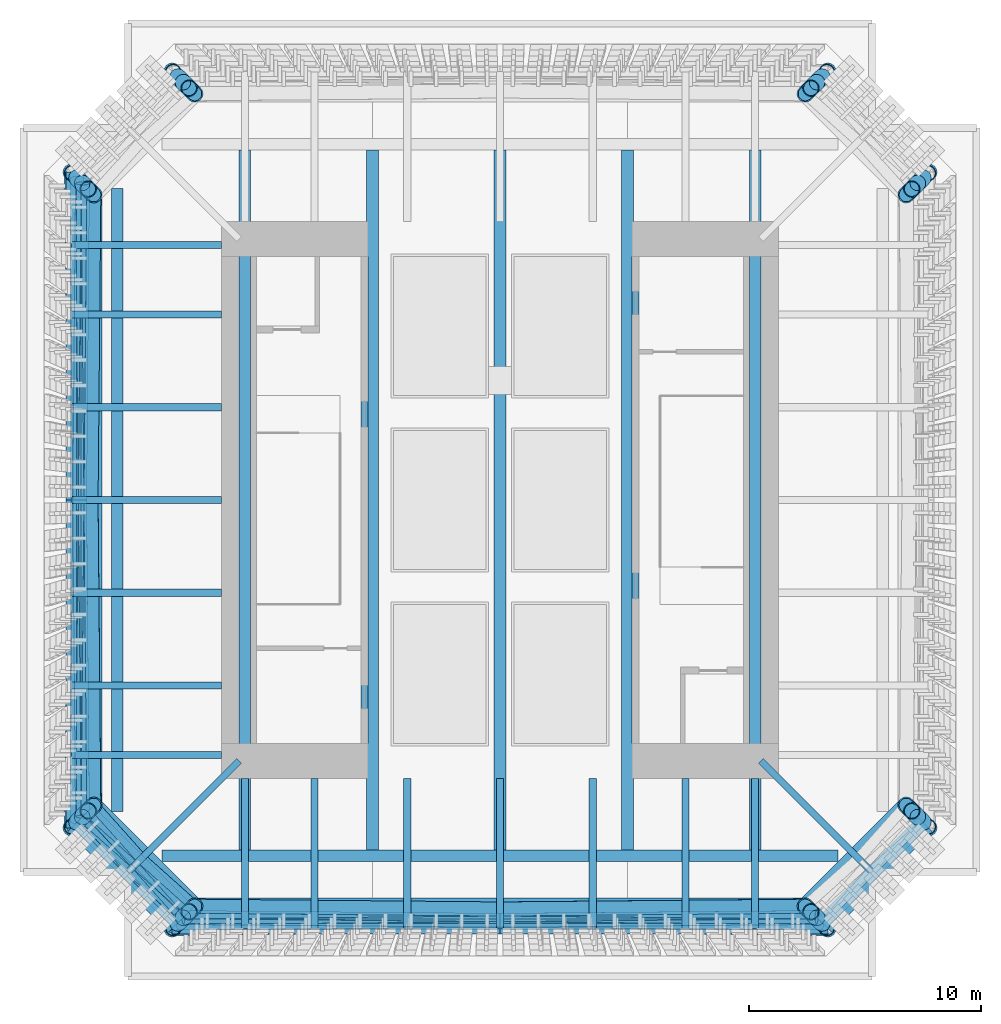
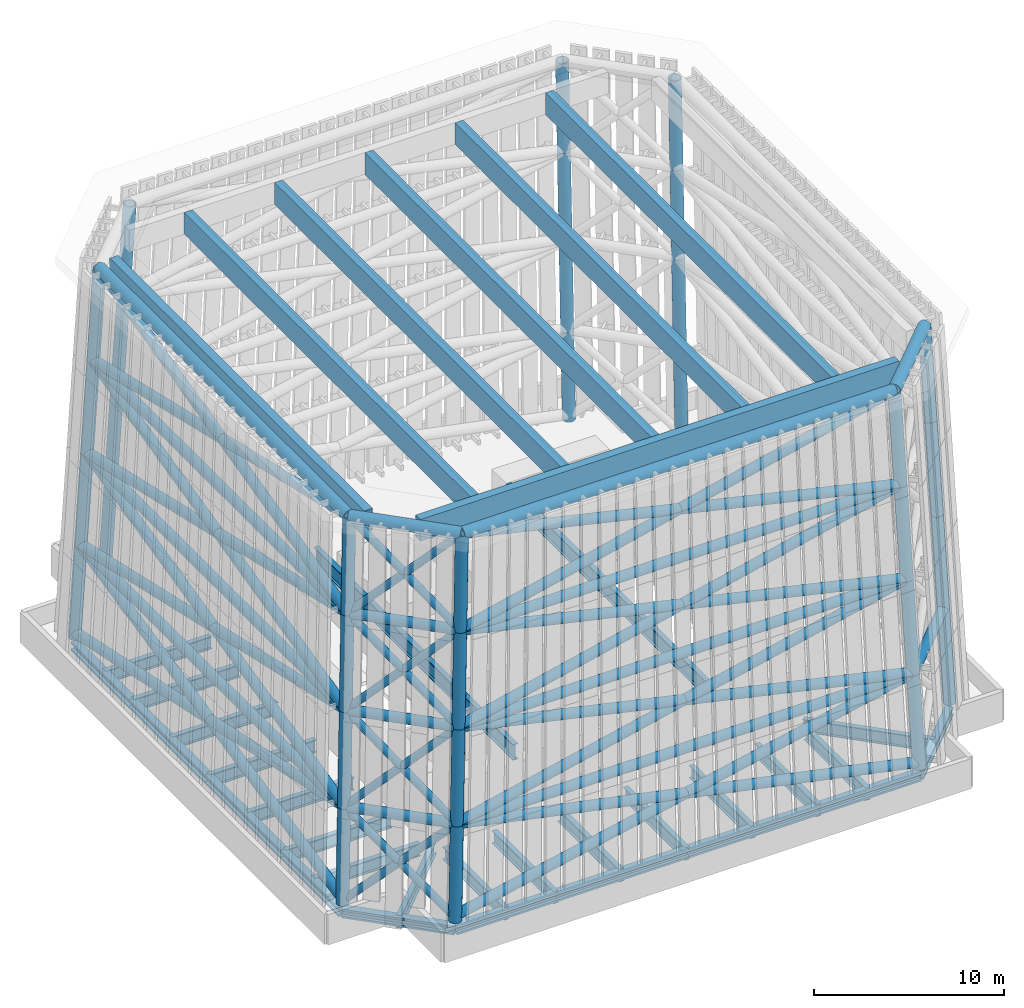
# One storey, part 1 of 13: 53 members, 32 columns, 20 beams.
"""IFC4 building model written with IfcOpenShell, lengths in metres."""

from ifc_helpers import new_model, si_unit, direction, frame, origin, origin_2d, place, context, subcontext, project, spatial, hollow_rectangle, hollow_circle, i_section, extrude, material, material_profile, profile_set, type_object, element, save


model = new_model("IFC4")

# Units and contexts
model_context = context("Model", 3, precision=1e-05, world=origin(), true_north=direction((0.0, 1.0)))
body_context = subcontext(model_context, "Body", "Model", "MODEL_VIEW")
ifc_project = project(units=[si_unit("LENGTHUNIT", "METRE"), si_unit("AREAUNIT", "SQUARE_METRE"), si_unit("VOLUMEUNIT", "CUBIC_METRE"), si_unit("PLANEANGLEUNIT", "RADIAN"), si_unit("MASSUNIT", "GRAM", prefix="KILO")], contexts=[model_context])

# Site, building, storey
site_placement = place(None, origin())
site = spatial("IfcSite", under=ifc_project, at=site_placement, CompositionType="ELEMENT")
building_placement = place(site_placement, origin())
building = spatial("IfcBuilding", under=site, at=building_placement, Name="Peilmerk Tower", CompositionType="ELEMENT")
storey_placement = place(building_placement, frame((0.0, 0.0, 307.800048828125)))
storey = spatial("IfcBuildingStorey", under=building, at=storey_placement, Name="RF", CompositionType="ELEMENT", Elevation=307.800048828125)

# Columns
ifc_material_1 = material(Name="Steel S355", Category="steel")
ifc_material_profile_1 = material_profile(ifc_material_1, hollow_circle(Radius=0.35546875, WallThickness=0.0400390625, at=origin_2d()), Name="CHS 711x40")
ifc_profile_set_1 = profile_set([ifc_material_profile_1], Name="Steel S355")
column_type_1 = type_object("IfcColumnType", Name="SC10 CHS 711x40 crown frame column", PredefinedType="COLUMN", material=ifc_profile_set_1)
for number, where, z_axis, x_axis, name in (
    (1, (14.135498046875, 18.485595703125, 0.0), (-0.040258485407, -0.040258485407, 0.998377938811), (0.707106781187, -0.707106781187, 0.0), "Crown frame column NE_N tier 1"),
    (2, (18.485595703125, 14.135498046875, 0.0), (-0.040258485407, -0.040258485407, 0.998377938811), (0.707106781187, -0.707106781187, 0.0), "Crown frame column NE_E tier 1"),
    (3, (18.485595703125, -14.135498046875, 0.0), (-0.040258485407, 0.040258485407, 0.998377938811), (-0.707106781187, -0.707106781187, 0.0), "Crown frame column SE_E tier 1"),
    (4, (14.135498046875, -18.485595703125, 0.0), (-0.040258485407, 0.040258485407, 0.998377938811), (-0.707106781187, -0.707106781187, 0.0), "Crown frame column SE_S tier 1"),
    (5, (-14.135498046875, -18.485595703125, 0.0), (0.040258485407, 0.040258485407, 0.998377938811), (-0.707106781187, 0.707106781187, 0.0), "Crown frame column SW_S tier 1"),
    (6, (-18.485595703125, -14.135498046875, 0.0), (0.040258485407, 0.040258485407, 0.998377938811), (-0.707106781187, 0.707106781187, 0.0), "Crown frame column SW_W tier 1"),
    (7, (-18.485595703125, 14.135498046875, 0.0), (0.040258485407, -0.040258485407, 0.998377938811), (0.707106781187, 0.707106781187, 0.0), "Crown frame column NW_W tier 1"),
    (8, (-14.135498046875, 18.485595703125, 0.0), (0.040258485407, -0.040258485407, 0.998377938811), (0.707106781187, 0.707106781187, 0.0), "Crown frame column NW_N tier 1"),
    (9, (13.8935546875, 18.24365234375, 6.0), (-0.040258485407, -0.040258485407, 0.998377938811), (0.707106781187, -0.707106781187, 0.0), "Crown frame column NE_N tier 2"),
    (10, (18.24365234375, 13.8935546875, 6.0), (-0.040258485407, -0.040258485407, 0.998377938811), (0.707106781187, -0.707106781187, 0.0), "Crown frame column NE_E tier 2"),
    (11, (18.24365234375, -13.8935546875, 6.0), (-0.040258485407, 0.040258485407, 0.998377938811), (-0.707106781187, -0.707106781187, 0.0), "Crown frame column SE_E tier 2"),
    (12, (13.8935546875, -18.24365234375, 6.0), (-0.040258485407, 0.040258485407, 0.998377938811), (-0.707106781187, -0.707106781187, 0.0), "Crown frame column SE_S tier 2"),
    (13, (-13.8935546875, -18.24365234375, 6.0), (0.040258485407, 0.040258485407, 0.998377938811), (-0.707106781187, 0.707106781187, 0.0), "Crown frame column SW_S tier 2"),
    (14, (-18.24365234375, -13.8935546875, 6.0), (0.040258485407, 0.040258485407, 0.998377938811), (-0.707106781187, 0.707106781187, 0.0), "Crown frame column SW_W tier 2"),
    (15, (-18.24365234375, 13.8935546875, 6.0), (0.040258485407, -0.040258485407, 0.998377938811), (0.707106781187, 0.707106781187, 0.0), "Crown frame column NW_W tier 2"),
    (16, (-13.8935546875, 18.24365234375, 6.0), (0.040258485407, -0.040258485407, 0.998377938811), (0.707106781187, 0.707106781187, 0.0), "Crown frame column NW_N tier 2"),
    (17, (13.651611328125, 18.001708984375, 12.0), (-0.040258485407, -0.040258485407, 0.998377938811), (0.707106781187, -0.707106781187, 0.0), "Crown frame column NE_N tier 3"),
    (18, (18.001708984375, 13.651611328125, 12.0), (-0.040258485407, -0.040258485407, 0.998377938811), (0.707106781187, -0.707106781187, 0.0), "Crown frame column NE_E tier 3"),
    (19, (18.001708984375, -13.651611328125, 12.0), (-0.040258485407, 0.040258485407, 0.998377938811), (-0.707106781187, -0.707106781187, 0.0), "Crown frame column SE_E tier 3"),
    (20, (13.651611328125, -18.001708984375, 12.0), (-0.040258485407, 0.040258485407, 0.998377938811), (-0.707106781187, -0.707106781187, 0.0), "Crown frame column SE_S tier 3"),
    (21, (-13.651611328125, -18.001708984375, 12.0), (0.040258485407, 0.040258485407, 0.998377938811), (-0.707106781187, 0.707106781187, 0.0), "Crown frame column SW_S tier 3"),
    (22, (-18.001708984375, -13.651611328125, 12.0), (0.040258485407, 0.040258485407, 0.998377938811), (-0.707106781187, 0.707106781187, 0.0), "Crown frame column SW_W tier 3"),
    (23, (-18.001708984375, 13.651611328125, 12.0), (0.040258485407, -0.040258485407, 0.998377938811), (0.707106781187, 0.707106781187, 0.0), "Crown frame column NW_W tier 3"),
    (24, (-13.651611328125, 18.001708984375, 12.0), (0.040258485407, -0.040258485407, 0.998377938811), (0.707106781187, 0.707106781187, 0.0), "Crown frame column NW_N tier 3"),
):
    element("IfcColumn", number, at=place(storey_placement, frame(where, z_axis=z_axis, x_axis=x_axis)), inside=storey, type_object=column_type_1, Name=name, PredefinedType="COLUMN", context=body_context, shape_type="SweptSolid", body=[
        extrude(hollow_circle(Radius=0.35546875, WallThickness=0.0400390625, at=origin_2d()), origin(), (0.0, 0.0, 1.0), 6.009765625),
    ])
ifc_material_profile_2 = material_profile(ifc_material_1, hollow_circle(Radius=0.35546875, WallThickness=0.050048828125, at=origin_2d()), Name="CHS 711x50")
ifc_profile_set_2 = profile_set([ifc_material_profile_2], Name="Steel S355")
column_type_2 = type_object("IfcColumnType", Name="SC11 CHS 711x50 crown frame column", PredefinedType="COLUMN", material=ifc_profile_set_2)
for number, where, z_axis, x_axis, name in (
    (25, (13.40966796875, 17.759765625, 18.0), (-0.040258485407, -0.040258485407, 0.998377938811), (0.707106781187, -0.707106781187, 0.0), "Crown frame column NE_N tier 4"),
    (26, (17.759765625, 13.40966796875, 18.0), (-0.040258485407, -0.040258485407, 0.998377938811), (0.707106781187, -0.707106781187, 0.0), "Crown frame column NE_E tier 4"),
    (27, (17.759765625, -13.40966796875, 18.0), (-0.040258485407, 0.040258485407, 0.998377938811), (-0.707106781187, -0.707106781187, 0.0), "Crown frame column SE_E tier 4"),
    (28, (13.40966796875, -17.759765625, 18.0), (-0.040258485407, 0.040258485407, 0.998377938811), (-0.707106781187, -0.707106781187, 0.0), "Crown frame column SE_S tier 4"),
    (29, (-13.40966796875, -17.759765625, 18.0), (0.040258485407, 0.040258485407, 0.998377938811), (-0.707106781187, 0.707106781187, 0.0), "Crown frame column SW_S tier 4"),
    (30, (-17.759765625, -13.40966796875, 18.0), (0.040258485407, 0.040258485407, 0.998377938811), (-0.707106781187, 0.707106781187, 0.0), "Crown frame column SW_W tier 4"),
    (31, (-17.759765625, 13.40966796875, 18.0), (0.040258485407, -0.040258485407, 0.998377938811), (0.707106781187, 0.707106781187, 0.0), "Crown frame column NW_W tier 4"),
    (32, (-13.40966796875, 17.759765625, 18.0), (0.040258485407, -0.040258485407, 0.998377938811), (0.707106781187, 0.707106781187, 0.0), "Crown frame column NW_N tier 4"),
):
    element("IfcColumn", number, at=place(storey_placement, frame(where, z_axis=z_axis, x_axis=x_axis)), inside=storey, type_object=column_type_2, Name=name, PredefinedType="COLUMN", context=body_context, shape_type="SweptSolid", body=[
        extrude(hollow_circle(Radius=0.35546875, WallThickness=0.050048828125, at=origin_2d()), origin(), (0.0, 0.0, 1.0), 6.009765625),
    ])

# Beams
ifc_material_2 = material(Name="Steel S460", Category="steel")
ifc_material_profile_3 = material_profile(ifc_material_2, i_section(OverallWidth=0.4541015625, OverallDepth=0.569091796875, WebThickness=0.077880859375, FlangeThickness=0.125, at=origin_2d()), Name="HD 400x1086")
ifc_profile_set_3 = profile_set([ifc_material_profile_3], Name="Steel S460")
beam_type_1 = type_object("IfcBeamType", Name="B17 HD 400x1086 edge beam", PredefinedType="SPANDREL", material=ifc_profile_set_3)
for number, where, z_axis, x_axis, name in (
    (33, (18.485595703125, -14.135498046875, -0.53466796875), (-0.707106781187, -0.707106781187, 0.0), (0.707106781187, -0.707106781187, 0.0), "Notch beam RF"),
    (34, (-14.135498046875, -18.485595703125, -0.53466796875), (-0.707106781187, 0.707106781187, 0.0), (-0.707106781187, -0.707106781187, 0.0), "Notch beam RF"),
):
    element("IfcBeam", number, at=place(storey_placement, frame(where, z_axis=z_axis, x_axis=x_axis)), inside=storey, type_object=beam_type_1, Name=name, PredefinedType="SPANDREL", context=body_context, shape_type="SweptSolid", body=[
        extrude(i_section(OverallWidth=0.4541015625, OverallDepth=0.569091796875, WebThickness=0.077880859375, FlangeThickness=0.125, at=origin_2d()), origin(), (0.0, 0.0, 1.0), 6.15185546875),
    ])
ifc_material_profile_4 = material_profile(ifc_material_1, i_section(OverallWidth=0.302001953125, OverallDepth=1.008056640625, WebThickness=0.02099609375, FlangeThickness=0.0400390625, at=origin_2d()), Name="HEM 1000")
ifc_profile_set_4 = profile_set([ifc_material_profile_4], Name="Steel S355")
beam_type_2 = type_object("IfcBeamType", Name="B24 HEM 1000 floor girder", PredefinedType="BEAM", material=ifc_profile_set_4)
for number, where, z_axis, x_axis, name in (
    (35, (-5.85009765625, -10.5, 3.095947265625), (0.0, 1.0, 0.0), (-1.0, 0.0, 0.0), "Head-house roof beam 1 RF"),
    (36, (5.85009765625, -10.5, 3.095947265625), (0.0, 1.0, 0.0), (-1.0, 0.0, 0.0), "Head-house roof beam 2 RF"),
):
    element("IfcBeam", number, at=place(storey_placement, frame(where, z_axis=z_axis, x_axis=x_axis)), inside=storey, type_object=beam_type_2, Name=name, PredefinedType="BEAM", context=body_context, shape_type="SweptSolid", body=[
        extrude(i_section(OverallWidth=0.302001953125, OverallDepth=1.008056640625, WebThickness=0.02099609375, FlangeThickness=0.0400390625, at=origin_2d()), origin(), (0.0, 0.0, 1.0), 21.0),
    ])
ifc_material_profile_5 = material_profile(ifc_material_2, i_section(OverallWidth=0.302978515625, OverallDepth=0.81396484375, WebThickness=0.02099609375, FlangeThickness=0.0400390625, at=origin_2d()), Name="HEM 800")
ifc_profile_set_5 = profile_set([ifc_material_profile_5], Name="Steel S460")
beam_type_3 = type_object("IfcBeamType", Name="B26 HEM 800 floor beam", PredefinedType="BEAM", material=ifc_profile_set_5)
for number, where, z_axis, x_axis, name in (
    (37, (-11.0, -12.0, -0.656982421875), (0.0, -1.0, 0.0), (1.0, 0.0, 0.0), "Floor beam RF"),
    (38, (-8.0, -12.0, -0.656982421875), (0.0, -1.0, 0.0), (1.0, 0.0, 0.0), "Floor beam RF"),
    (39, (-4.0, -12.0, -0.656982421875), (0.0, -1.0, 0.0), (1.0, 0.0, 0.0), "Floor beam RF"),
    (40, (0.0, -12.0, -0.656982421875), (0.0, -1.0, 0.0), (1.0, 0.0, 0.0), "Floor beam RF"),
    (41, (4.0, -12.0, -0.656982421875), (0.0, -1.0, 0.0), (1.0, 0.0, 0.0), "Floor beam RF"),
    (42, (8.0, -12.0, -0.656982421875), (0.0, -1.0, 0.0), (1.0, 0.0, 0.0), "Floor beam RF"),
    (43, (11.0, -12.0, -0.656982421875), (0.0, -1.0, 0.0), (1.0, 0.0, 0.0), "Floor beam RF"),
    (44, (-12.0, 11.0, -0.656982421875), (-1.0, 0.0, 0.0), (0.0, -1.0, 0.0), "Floor beam RF"),
    (45, (-12.0, 8.0, -0.656982421875), (-1.0, 0.0, 0.0), (0.0, -1.0, 0.0), "Floor beam RF"),
    (46, (-12.0, 4.0, -0.656982421875), (-1.0, 0.0, 0.0), (0.0, -1.0, 0.0), "Floor beam RF"),
    (47, (-12.0, 0.0, -0.656982421875), (-1.0, 0.0, 0.0), (0.0, -1.0, 0.0), "Floor beam RF"),
    (48, (-12.0, -4.0, -0.656982421875), (-1.0, 0.0, 0.0), (0.0, -1.0, 0.0), "Floor beam RF"),
    (49, (-12.0, -8.0, -0.656982421875), (-1.0, 0.0, 0.0), (0.0, -1.0, 0.0), "Floor beam RF"),
    (50, (-12.0, -11.0, -0.656982421875), (-1.0, 0.0, 0.0), (0.0, -1.0, 0.0), "Floor beam RF"),
):
    element("IfcBeam", number, at=place(storey_placement, frame(where, z_axis=z_axis, x_axis=x_axis)), inside=storey, type_object=beam_type_3, Name=name, PredefinedType="BEAM", context=body_context, shape_type="SweptSolid", body=[
        extrude(i_section(OverallWidth=0.302978515625, OverallDepth=0.81396484375, WebThickness=0.02099609375, FlangeThickness=0.0400390625, at=origin_2d()), origin(), (0.0, 0.0, 1.0), 6.485595703125),
    ])
for number, where, z_axis, x_axis, name in (
    (51, (11.25, -11.25, -0.656982421875), (0.707106781187, -0.707106781187, 0.0), (0.707106781187, 0.707106781187, 0.0), "Corner girder RF"),
    (52, (-11.25, -11.25, -0.656982421875), (-0.707106781187, -0.707106781187, 0.0), (0.707106781187, -0.707106781187, 0.0), "Corner girder RF"),
):
    element("IfcBeam", number, at=place(storey_placement, frame(where, z_axis=z_axis, x_axis=x_axis)), inside=storey, type_object=beam_type_3, Name=name, PredefinedType="BEAM", context=body_context, shape_type="SweptSolid", body=[
        extrude(i_section(OverallWidth=0.302978515625, OverallDepth=0.81396484375, WebThickness=0.02099609375, FlangeThickness=0.0400390625, at=origin_2d()), origin(), (0.0, 0.0, 1.0), 7.15673828125),
    ])

# Members
ifc_material_profile_6 = material_profile(ifc_material_2, i_section(OverallWidth=0.4541015625, OverallDepth=0.569091796875, WebThickness=0.077880859375, FlangeThickness=0.125, at=origin_2d()), Name="HD 400x1086")
ifc_profile_set_6 = profile_set([ifc_material_profile_6], Name="Steel S460")
member_type_1 = type_object("IfcMemberType", Name="M1 HD 400x1086 belt truss chord", PredefinedType="CHORD", material=ifc_profile_set_6)
member_1_placement = place(storey_placement, frame((-14.135498046875, -18.485595703125, -0.53466796875), z_axis=(1.0, 0.0, 0.0), x_axis=(0.0, 1.0, 0.0)))
element("IfcMember", 53, at=member_1_placement, inside=storey, type_object=member_type_1, Name="Belt truss chord RF", PredefinedType="CHORD", context=body_context, shape_type="SweptSolid", body=[
    extrude(i_section(OverallWidth=0.4541015625, OverallDepth=0.569091796875, WebThickness=0.077880859375, FlangeThickness=0.125, at=origin_2d()), origin(), (0.0, 0.0, 1.0), 6.135498046875),
])
for number, where, z_axis, x_axis, name in (
    (54, (-8.0, -18.485595703125, -0.53466796875), (1.0, 0.0, 0.0), (0.0, 1.0, 0.0), "Belt truss chord RF"),
    (55, (0.0, -18.485595703125, -0.53466796875), (1.0, 0.0, 0.0), (0.0, 1.0, 0.0), "Belt truss chord RF"),
):
    element("IfcMember", number, at=place(storey_placement, frame(where, z_axis=z_axis, x_axis=x_axis)), inside=storey, type_object=member_type_1, Name=name, PredefinedType="CHORD", context=body_context, shape_type="SweptSolid", body=[
        extrude(i_section(OverallWidth=0.4541015625, OverallDepth=0.569091796875, WebThickness=0.077880859375, FlangeThickness=0.125, at=origin_2d()), origin(), (0.0, 0.0, 1.0), 8.0),
    ])
for number, where, z_axis, x_axis, name in (
    (56, (8.0, -18.485595703125, -0.53466796875), (1.0, 0.0, 0.0), (0.0, 1.0, 0.0), "Belt truss chord RF"),
    (57, (-18.485595703125, 14.135498046875, -0.53466796875), (0.0, -1.0, 0.0), (1.0, 0.0, 0.0), "Belt truss chord RF"),
):
    element("IfcMember", number, at=place(storey_placement, frame(where, z_axis=z_axis, x_axis=x_axis)), inside=storey, type_object=member_type_1, Name=name, PredefinedType="CHORD", context=body_context, shape_type="SweptSolid", body=[
        extrude(i_section(OverallWidth=0.4541015625, OverallDepth=0.569091796875, WebThickness=0.077880859375, FlangeThickness=0.125, at=origin_2d()), origin(), (0.0, 0.0, 1.0), 6.135498046875),
    ])
for number, where, z_axis, x_axis, name in (
    (58, (-18.485595703125, 8.0, -0.53466796875), (0.0, -1.0, 0.0), (1.0, 0.0, 0.0), "Belt truss chord RF"),
    (59, (-18.485595703125, 0.0, -0.53466796875), (0.0, -1.0, 0.0), (1.0, 0.0, 0.0), "Belt truss chord RF"),
):
    element("IfcMember", number, at=place(storey_placement, frame(where, z_axis=z_axis, x_axis=x_axis)), inside=storey, type_object=member_type_1, Name=name, PredefinedType="CHORD", context=body_context, shape_type="SweptSolid", body=[
        extrude(i_section(OverallWidth=0.4541015625, OverallDepth=0.569091796875, WebThickness=0.077880859375, FlangeThickness=0.125, at=origin_2d()), origin(), (0.0, 0.0, 1.0), 8.0),
    ])
member_2_placement = place(storey_placement, frame((-18.485595703125, -8.0, -0.53466796875), z_axis=(0.0, -1.0, 0.0), x_axis=(1.0, 0.0, 0.0)))
element("IfcMember", 60, at=member_2_placement, inside=storey, type_object=member_type_1, Name="Belt truss chord RF", PredefinedType="CHORD", context=body_context, shape_type="SweptSolid", body=[
    extrude(i_section(OverallWidth=0.4541015625, OverallDepth=0.569091796875, WebThickness=0.077880859375, FlangeThickness=0.125, at=origin_2d()), origin(), (0.0, 0.0, 1.0), 6.135498046875),
])
ifc_material_profile_7 = material_profile(ifc_material_1, hollow_circle(Radius=0.304931640625, WallThickness=0.030029296875, at=origin_2d()), Name="CHS 610x30")
ifc_profile_set_7 = profile_set([ifc_material_profile_7], Name="Steel S355")
member_type_2 = type_object("IfcMemberType", Name="M5 CHS 610x30 crown frame ring", PredefinedType="MEMBER", material=ifc_profile_set_7)
member_3_placement = place(storey_placement, frame((18.24365234375, -13.8935546875, 6.0), z_axis=(-0.707106781187, -0.707106781187, 0.0), x_axis=(0.707106781187, -0.707106781187, 0.0)))
element("IfcMember", 61, at=member_3_placement, inside=storey, type_object=member_type_2, Name="Crown frame ring 1", PredefinedType="MEMBER", context=body_context, shape_type="SweptSolid", body=[
    extrude(hollow_circle(Radius=0.304931640625, WallThickness=0.030029296875, at=origin_2d()), origin(), (0.0, 0.0, 1.0), 6.15185546875),
])
member_4_placement = place(storey_placement, frame((13.8935546875, -18.24365234375, 6.0), z_axis=(-1.0, 0.0, 0.0), x_axis=(0.0, -1.0, 0.0)))
element("IfcMember", 62, at=member_4_placement, inside=storey, type_object=member_type_2, Name="Crown frame ring 1", PredefinedType="MEMBER", context=body_context, shape_type="SweptSolid", body=[
    extrude(hollow_circle(Radius=0.304931640625, WallThickness=0.030029296875, at=origin_2d()), origin(), (0.0, 0.0, 1.0), 27.787109375),
])
member_5_placement = place(storey_placement, frame((-13.8935546875, -18.24365234375, 6.0), z_axis=(-0.707106781187, 0.707106781187, 0.0), x_axis=(-0.707106781187, -0.707106781187, 0.0)))
element("IfcMember", 63, at=member_5_placement, inside=storey, type_object=member_type_2, Name="Crown frame ring 1", PredefinedType="MEMBER", context=body_context, shape_type="SweptSolid", body=[
    extrude(hollow_circle(Radius=0.304931640625, WallThickness=0.030029296875, at=origin_2d()), origin(), (0.0, 0.0, 1.0), 6.15185546875),
])
member_6_placement = place(storey_placement, frame((-18.24365234375, -13.8935546875, 6.0), z_axis=(0.0, 1.0, 0.0), x_axis=(-1.0, 0.0, 0.0)))
element("IfcMember", 64, at=member_6_placement, inside=storey, type_object=member_type_2, Name="Crown frame ring 1", PredefinedType="MEMBER", context=body_context, shape_type="SweptSolid", body=[
    extrude(hollow_circle(Radius=0.304931640625, WallThickness=0.030029296875, at=origin_2d()), origin(), (0.0, 0.0, 1.0), 27.787109375),
])
member_7_placement = place(storey_placement, frame((13.651611328125, -18.001708984375, 12.0), z_axis=(-1.0, 0.0, 0.0), x_axis=(0.0, -1.0, 0.0)))
element("IfcMember", 65, at=member_7_placement, inside=storey, type_object=member_type_2, Name="Crown frame ring 2", PredefinedType="MEMBER", context=body_context, shape_type="SweptSolid", body=[
    extrude(hollow_circle(Radius=0.304931640625, WallThickness=0.030029296875, at=origin_2d()), origin(), (0.0, 0.0, 1.0), 27.30322265625),
])
member_8_placement = place(storey_placement, frame((-13.651611328125, -18.001708984375, 12.0), z_axis=(-0.707106781187, 0.707106781187, 0.0), x_axis=(-0.707106781187, -0.707106781187, 0.0)))
element("IfcMember", 66, at=member_8_placement, inside=storey, type_object=member_type_2, Name="Crown frame ring 2", PredefinedType="MEMBER", context=body_context, shape_type="SweptSolid", body=[
    extrude(hollow_circle(Radius=0.304931640625, WallThickness=0.030029296875, at=origin_2d()), origin(), (0.0, 0.0, 1.0), 6.15185546875),
])
member_9_placement = place(storey_placement, frame((-18.001708984375, -13.651611328125, 12.0), z_axis=(0.0, 1.0, 0.0), x_axis=(-1.0, 0.0, 0.0)))
element("IfcMember", 67, at=member_9_placement, inside=storey, type_object=member_type_2, Name="Crown frame ring 2", PredefinedType="MEMBER", context=body_context, shape_type="SweptSolid", body=[
    extrude(hollow_circle(Radius=0.304931640625, WallThickness=0.030029296875, at=origin_2d()), origin(), (0.0, 0.0, 1.0), 27.30322265625),
])
member_10_placement = place(storey_placement, frame((13.40966796875, -17.759765625, 18.0), z_axis=(-1.0, 0.0, 0.0), x_axis=(0.0, -1.0, 0.0)))
element("IfcMember", 68, at=member_10_placement, inside=storey, type_object=member_type_2, Name="Crown frame ring 3", PredefinedType="MEMBER", context=body_context, shape_type="SweptSolid", body=[
    extrude(hollow_circle(Radius=0.304931640625, WallThickness=0.030029296875, at=origin_2d()), origin(), (0.0, 0.0, 1.0), 26.8193359375),
])
member_11_placement = place(storey_placement, frame((-13.40966796875, -17.759765625, 18.0), z_axis=(-0.707106781187, 0.707106781187, 0.0), x_axis=(-0.707106781187, -0.707106781187, 0.0)))
element("IfcMember", 69, at=member_11_placement, inside=storey, type_object=member_type_2, Name="Crown frame ring 3", PredefinedType="MEMBER", context=body_context, shape_type="SweptSolid", body=[
    extrude(hollow_circle(Radius=0.304931640625, WallThickness=0.030029296875, at=origin_2d()), origin(), (0.0, 0.0, 1.0), 6.15185546875),
])
member_12_placement = place(storey_placement, frame((-17.759765625, -13.40966796875, 18.0), z_axis=(0.0, 1.0, 0.0), x_axis=(-1.0, 0.0, 0.0)))
element("IfcMember", 70, at=member_12_placement, inside=storey, type_object=member_type_2, Name="Crown frame ring 3", PredefinedType="MEMBER", context=body_context, shape_type="SweptSolid", body=[
    extrude(hollow_circle(Radius=0.304931640625, WallThickness=0.030029296875, at=origin_2d()), origin(), (0.0, 0.0, 1.0), 26.8193359375),
])
ifc_material_profile_8 = material_profile(ifc_material_1, hollow_circle(Radius=0.35546875, WallThickness=0.070068359375, at=origin_2d()), Name="CHS 711x70")
ifc_profile_set_8 = profile_set([ifc_material_profile_8], Name="Steel S355")
member_type_3 = type_object("IfcMemberType", Name="M6 CHS 711x70 crown frame ring", PredefinedType="MEMBER", material=ifc_profile_set_8)
member_13_placement = place(storey_placement, frame((17.517822265625, -13.167724609375, 24.0), z_axis=(-0.707106781187, -0.707106781187, 0.0), x_axis=(0.707106781187, -0.707106781187, 0.0)))
element("IfcMember", 71, at=member_13_placement, inside=storey, type_object=member_type_3, Name="Crown frame ring 4", PredefinedType="MEMBER", context=body_context, shape_type="SweptSolid", body=[
    extrude(hollow_circle(Radius=0.35546875, WallThickness=0.070068359375, at=origin_2d()), origin(), (0.0, 0.0, 1.0), 6.15185546875),
])
member_14_placement = place(storey_placement, frame((13.167724609375, -17.517822265625, 24.0), z_axis=(-1.0, 0.0, 0.0), x_axis=(0.0, -1.0, 0.0)))
element("IfcMember", 72, at=member_14_placement, inside=storey, type_object=member_type_3, Name="Crown frame ring 4", PredefinedType="MEMBER", context=body_context, shape_type="SweptSolid", body=[
    extrude(hollow_circle(Radius=0.35546875, WallThickness=0.070068359375, at=origin_2d()), origin(), (0.0, 0.0, 1.0), 26.33544921875),
])
member_15_placement = place(storey_placement, frame((-13.167724609375, -17.517822265625, 24.0), z_axis=(-0.707106781187, 0.707106781187, 0.0), x_axis=(-0.707106781187, -0.707106781187, 0.0)))
element("IfcMember", 73, at=member_15_placement, inside=storey, type_object=member_type_3, Name="Crown frame ring 4", PredefinedType="MEMBER", context=body_context, shape_type="SweptSolid", body=[
    extrude(hollow_circle(Radius=0.35546875, WallThickness=0.070068359375, at=origin_2d()), origin(), (0.0, 0.0, 1.0), 6.15185546875),
])
member_16_placement = place(storey_placement, frame((-17.517822265625, -13.167724609375, 24.0), z_axis=(0.0, 1.0, 0.0), x_axis=(-1.0, 0.0, 0.0)))
element("IfcMember", 74, at=member_16_placement, inside=storey, type_object=member_type_3, Name="Crown frame ring 4", PredefinedType="MEMBER", context=body_context, shape_type="SweptSolid", body=[
    extrude(hollow_circle(Radius=0.35546875, WallThickness=0.070068359375, at=origin_2d()), origin(), (0.0, 0.0, 1.0), 26.33544921875),
])
ifc_material_profile_9 = material_profile(ifc_material_1, hollow_circle(Radius=0.228515625, WallThickness=0.02001953125, at=origin_2d()), Name="CHS 457x20")
ifc_profile_set_9 = profile_set([ifc_material_profile_9], Name="Steel S355")
member_type_4 = type_object("IfcMemberType", Name="M7 CHS 457x20 crown frame corner brace", PredefinedType="BRACE", material=ifc_profile_set_9)
for number, where, z_axis, x_axis, name in (
    (75, (-14.12890625, -18.47900390625, 0.16357421875), (-0.484855610334, 0.5403202844, 0.687727436848), (-0.744274607847, -0.667873721683, 0.0), "Crown frame corner brace 1"),
    (76, (-18.47900390625, -14.12890625, 0.16357421875), (0.5403202844, -0.484855610334, 0.687727436848), (0.667873721683, 0.744274607847, 0.0), "Crown frame corner brace 1"),
):
    element("IfcMember", number, at=place(storey_placement, frame(where, z_axis=z_axis, x_axis=x_axis)), inside=storey, type_object=member_type_4, Name=name, PredefinedType="BRACE", context=body_context, shape_type="SweptSolid", body=[
        extrude(hollow_circle(Radius=0.228515625, WallThickness=0.02001953125, at=origin_2d()), origin(), (0.0, 0.0, 1.0), 8.486572265625),
    ])
for number, where, z_axis, x_axis, name in (
    (77, (-13.8935546875, -18.24365234375, 6.0), (-0.47768017794, 0.53394464057, 0.697656626436), (-0.745282764604, -0.666748528895, 0.0), "Crown frame corner brace 2"),
    (78, (-18.24365234375, -13.8935546875, 6.0), (0.53394464057, -0.47768017794, 0.697656626436), (0.666748528895, 0.745282764604, 0.0), "Crown frame corner brace 2"),
    (79, (-13.651611328125, -18.001708984375, 12.0), (-0.47768017794, 0.53394464057, 0.697656626436), (-0.745282764604, -0.666748528895, 0.0), "Crown frame corner brace 3"),
    (80, (-18.001708984375, -13.651611328125, 12.0), (0.53394464057, -0.47768017794, 0.697656626436), (0.666748528895, 0.745282764604, 0.0), "Crown frame corner brace 3"),
    (81, (-13.40966796875, -17.759765625, 18.0), (-0.47768017794, 0.53394464057, 0.697656626436), (-0.745282764604, -0.666748528895, 0.0), "Crown frame corner brace 4"),
    (82, (-17.759765625, -13.40966796875, 18.0), (0.53394464057, -0.47768017794, 0.697656626436), (0.666748528895, 0.745282764604, 0.0), "Crown frame corner brace 4"),
):
    element("IfcMember", number, at=place(storey_placement, frame(where, z_axis=z_axis, x_axis=x_axis)), inside=storey, type_object=member_type_4, Name=name, PredefinedType="BRACE", context=body_context, shape_type="SweptSolid", body=[
        extrude(hollow_circle(Radius=0.228515625, WallThickness=0.02001953125, at=origin_2d()), origin(), (0.0, 0.0, 1.0), 8.60009765625),
    ])
ifc_material_profile_10 = material_profile(ifc_material_1, hollow_circle(Radius=0.304931640625, WallThickness=0.030029296875, at=origin_2d()), Name="CHS 610x30")
ifc_profile_set_10 = profile_set([ifc_material_profile_10], Name="Steel S355")
member_type_5 = type_object("IfcMemberType", Name="M8 CHS 610x30 crown frame brace", PredefinedType="BRACE", material=ifc_profile_set_10)
for number, where, z_axis, x_axis, name in (
    (83, (14.12353515625, -18.473388671875, 0.298095703125), (-0.979881024768, 0.0080348912, 0.199420705602), (-0.008199588405, -0.99996638281, 0.0), "Crown frame brace 1"),
    (84, (-14.12353515625, -18.473388671875, 0.298095703125), (0.979881024768, 0.0080348912, 0.199420705602), (-0.008199588405, 0.99996638281, 0.0), "Crown frame brace 1"),
    (85, (-18.473388671875, -14.12353515625, 0.298095703125), (0.0080348912, 0.979881024768, 0.199420705602), (-0.99996638281, 0.008199588405, 0.0), "Crown frame brace 1"),
    (86, (-18.473388671875, 14.12353515625, 0.298095703125), (0.0080348912, -0.979881024768, 0.199420705602), (0.99996638281, 0.008199588405, 0.0), "Crown frame brace 1"),
):
    element("IfcMember", number, at=place(storey_placement, frame(where, z_axis=z_axis, x_axis=x_axis)), inside=storey, type_object=member_type_5, Name=name, PredefinedType="BRACE", context=body_context, shape_type="SweptSolid", body=[
        extrude(hollow_circle(Radius=0.304931640625, WallThickness=0.030029296875, at=origin_2d()), origin(), (0.0, 0.0, 1.0), 28.59228515625),
    ])
for number, where, z_axis, x_axis, name in (
    (87, (13.8935546875, -18.24365234375, 6.0), (-0.977052524046, 0.008581954809, 0.212825551349), (-0.008783175487, -0.99996142717, 0.0), "Crown frame brace 2"),
    (88, (-13.8935546875, -18.24365234375, 6.0), (0.977052524046, 0.008581954809, 0.212825551349), (-0.008783175487, 0.99996142717, 0.0), "Crown frame brace 2"),
    (89, (-18.24365234375, -13.8935546875, 6.0), (0.008581954809, 0.977052524046, 0.212825551349), (-0.99996142717, 0.008783175487, 0.0), "Crown frame brace 2"),
    (90, (-18.24365234375, 13.8935546875, 6.0), (0.008581954809, -0.977052524046, 0.212825551349), (0.99996142717, 0.008783175487, 0.0), "Crown frame brace 2"),
):
    element("IfcMember", number, at=place(storey_placement, frame(where, z_axis=z_axis, x_axis=x_axis)), inside=storey, type_object=member_type_5, Name=name, PredefinedType="BRACE", context=body_context, shape_type="SweptSolid", body=[
        extrude(hollow_circle(Radius=0.304931640625, WallThickness=0.030029296875, at=origin_2d()), origin(), (0.0, 0.0, 1.0), 28.192138671875),
    ])
for number, where, z_axis, x_axis, name in (
    (91, (13.651611328125, -18.001708984375, 12.0), (-0.976253795497, 0.008728268915, 0.216454023061), (-0.008940216298, -0.999960035468, 0.0), "Crown frame brace 3"),
    (92, (-13.651611328125, -18.001708984375, 12.0), (0.976253795497, 0.008728268915, 0.216454023061), (-0.008940216298, 0.999960035468, 0.0), "Crown frame brace 3"),
    (93, (-18.001708984375, -13.651611328125, 12.0), (0.008728268915, 0.976253795497, 0.216454023061), (-0.999960035468, 0.008940216298, 0.0), "Crown frame brace 3"),
    (94, (-18.001708984375, 13.651611328125, 12.0), (0.008728268915, -0.976253795497, 0.216454023061), (0.999960035468, 0.008940216298, 0.0), "Crown frame brace 3"),
):
    element("IfcMember", number, at=place(storey_placement, frame(where, z_axis=z_axis, x_axis=x_axis)), inside=storey, type_object=member_type_5, Name=name, PredefinedType="BRACE", context=body_context, shape_type="SweptSolid", body=[
        extrude(hollow_circle(Radius=0.304931640625, WallThickness=0.030029296875, at=origin_2d()), origin(), (0.0, 0.0, 1.0), 27.719482421875),
    ])
for number, where, z_axis, x_axis, name in (
    (95, (13.40966796875, -17.759765625, 18.0), (-0.975413164478, 0.008879529363, 0.220205160069), (-0.009102974802, -0.999958567067, 0.0), "Crown frame brace 4"),
    (96, (-13.40966796875, -17.759765625, 18.0), (0.975413164478, 0.008879529363, 0.220205160069), (-0.009102974802, 0.999958567067, 0.0), "Crown frame brace 4"),
    (97, (-17.759765625, -13.40966796875, 18.0), (0.008879529363, 0.975413164478, 0.220205160069), (-0.999958567067, 0.009102974802, 0.0), "Crown frame brace 4"),
    (98, (-17.759765625, 13.40966796875, 18.0), (0.008879529363, -0.975413164478, 0.220205160069), (0.999958567067, 0.009102974802, 0.0), "Crown frame brace 4"),
):
    element("IfcMember", number, at=place(storey_placement, frame(where, z_axis=z_axis, x_axis=x_axis)), inside=storey, type_object=member_type_5, Name=name, PredefinedType="BRACE", context=body_context, shape_type="SweptSolid", body=[
        extrude(hollow_circle(Radius=0.304931640625, WallThickness=0.030029296875, at=origin_2d()), origin(), (0.0, 0.0, 1.0), 27.247314453125),
    ])
ifc_material_profile_11 = material_profile(ifc_material_1, hollow_rectangle(XDim=0.5, YDim=1.39990234375, WallThickness=0.030029296875, at=origin_2d()), Name="BOX 1400x500x30")
ifc_profile_set_11 = profile_set([ifc_material_profile_11], Name="Steel S355")
member_type_6 = type_object("IfcMemberType", Name="M9 BOX 1400x500x30 crown roof girder", PredefinedType="MEMBER", material=ifc_profile_set_11)
member_17_placement = place(storey_placement, frame((-14.582763671875, -15.35009765625, 23.5), z_axis=(1.0, 0.0, 0.0), x_axis=(0.0, 1.0, 0.0)))
element("IfcMember", 99, at=member_17_placement, inside=storey, type_object=member_type_6, Name="Crown roof girder primary S", PredefinedType="MEMBER", context=body_context, shape_type="SweptSolid", body=[
    extrude(hollow_rectangle(XDim=0.5, YDim=1.39990234375, WallThickness=0.030029296875, at=origin_2d()), origin(), (0.0, 0.0, 1.0), 29.16552734375),
])
for number, where, z_axis, x_axis, name in (
    (100, (-11.0, -15.10009765625, 23.5), (0.0, 1.0, 0.0), (-1.0, 0.0, 0.0), "Crown roof girder secondary 1"),
    (101, (-5.5, -15.10009765625, 23.5), (0.0, 1.0, 0.0), (-1.0, 0.0, 0.0), "Crown roof girder secondary 2"),
    (102, (0.0, -15.10009765625, 23.5), (0.0, 1.0, 0.0), (-1.0, 0.0, 0.0), "Crown roof girder secondary 3"),
    (103, (5.5, -15.10009765625, 23.5), (0.0, 1.0, 0.0), (-1.0, 0.0, 0.0), "Crown roof girder secondary 4"),
    (104, (11.0, -15.10009765625, 23.5), (0.0, 1.0, 0.0), (-1.0, 0.0, 0.0), "Crown roof girder secondary 5"),
):
    element("IfcMember", number, at=place(storey_placement, frame(where, z_axis=z_axis, x_axis=x_axis)), inside=storey, type_object=member_type_6, Name=name, PredefinedType="MEMBER", context=body_context, shape_type="SweptSolid", body=[
        extrude(hollow_rectangle(XDim=0.5, YDim=1.39990234375, WallThickness=0.030029296875, at=origin_2d()), origin(), (0.0, 0.0, 1.0), 30.2001953125),
    ])
member_18_placement = place(storey_placement, frame((-16.5, -13.4326171875, 23.5), z_axis=(0.0, 1.0, 0.0), x_axis=(-1.0, 0.0, 0.0)))
element("IfcMember", 105, at=member_18_placement, inside=storey, type_object=member_type_6, Name="Crown roof girder edge W", PredefinedType="MEMBER", context=body_context, shape_type="SweptSolid", body=[
    extrude(hollow_rectangle(XDim=0.5, YDim=1.39990234375, WallThickness=0.030029296875, at=origin_2d()), origin(), (0.0, 0.0, 1.0), 26.865234375),
])

save(model, "model.ifc")
